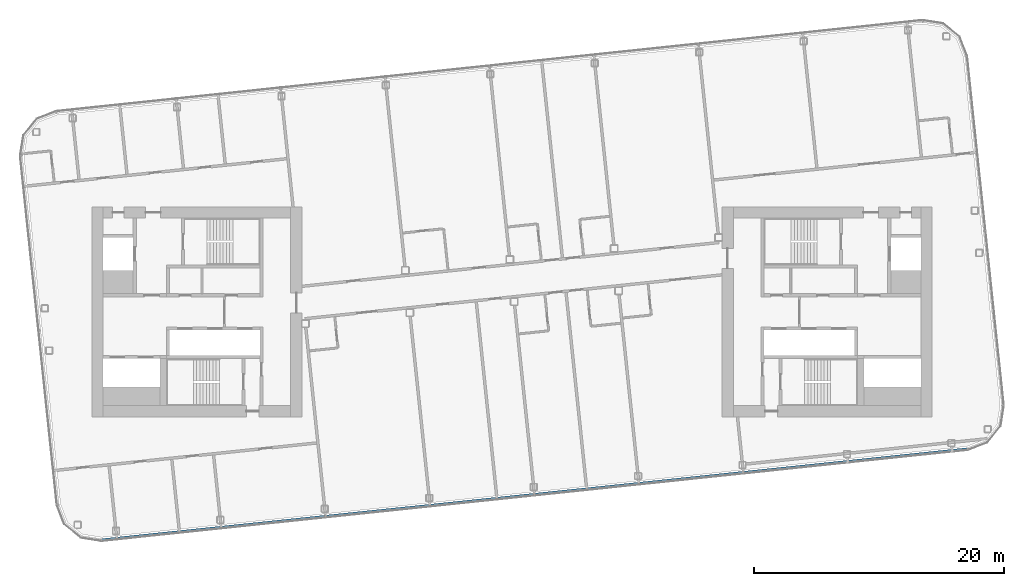
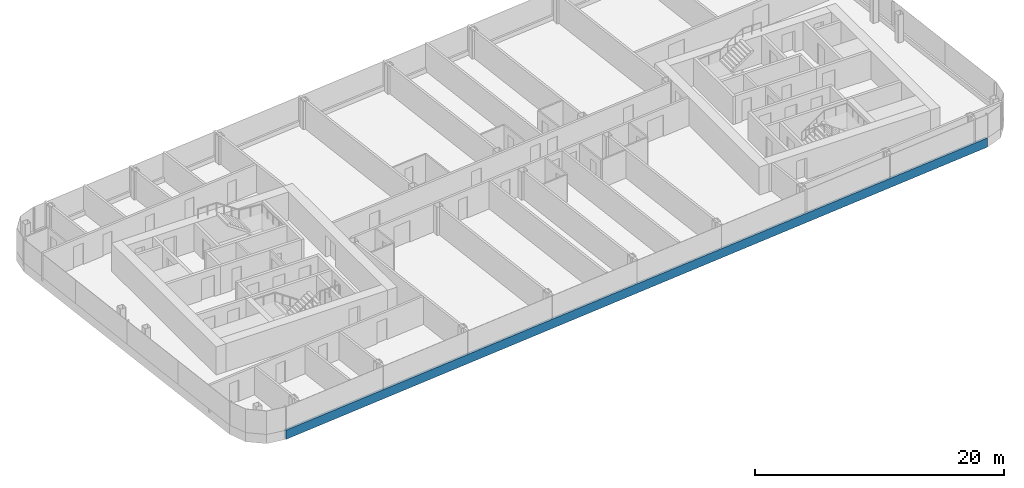
# One storey, part 6 of 27: 1 member, 1 element without a shape of its own.
"""IFC4 building model written with IfcOpenShell, lengths in metres."""

from ifc_helpers import new_model, si_unit, direction, frame, origin, origin_2d, place, context, subcontext, project, spatial, rectangle, extrude, material, layer, layer_set, material_profile, profile_set, type_object, element, aggregate, save


model = new_model("IFC4")

# Units and contexts
model_context = context("Model", 3, precision=1e-05, world=origin(), true_north=direction((0.0, 1.0)))
body_context = subcontext(model_context, "Body", "Model", "MODEL_VIEW")
ifc_project = project(units=[si_unit("LENGTHUNIT", "METRE"), si_unit("AREAUNIT", "SQUARE_METRE"), si_unit("VOLUMEUNIT", "CUBIC_METRE"), si_unit("PLANEANGLEUNIT", "RADIAN"), si_unit("MASSUNIT", "GRAM", prefix="KILO")], contexts=[model_context])

# Site, building, storey
site_placement = place(None, origin())
site = spatial("IfcSite", under=ifc_project, at=site_placement, CompositionType="ELEMENT")
building_placement = place(site_placement, origin())
building = spatial("IfcBuilding", under=site, at=building_placement, Name="Hakoniwa Tower and Hamabe Station Hall", CompositionType="ELEMENT")
storey_placement = place(building_placement, frame((0.0, 0.0, 248.60009765625)))
storey = spatial("IfcBuildingStorey", under=building, at=storey_placement, Name="L70", CompositionType="ELEMENT", Elevation=248.60009765625)

# Curtain wall, member
ifc_material_1 = material(Name="Dark low-e laminated glass", Category="glass")
ifc_layer = layer(ifc_material_1, 0.199951171875)
ifc_layer_set = layer_set([ifc_layer], Name="CW-1 UNITISED GUEST")
curtain_wall_type = type_object("IfcCurtainWallType", Name="CW-1 UNITISED GUEST", PredefinedType="NOTDEFINED", material=ifc_layer_set)
curtain_wall_placement = place(storey_placement, origin())
curtain_wall = element("IfcCurtainWall", 1, at=curtain_wall_placement, inside=storey, type_object=curtain_wall_type, Name="CW-1 curtain wall", PredefinedType="NOTDEFINED")
ifc_material_2 = material(Name="Aluminium 6063-T5 black anodised", Category="aluminium")
ifc_material_profile = material_profile(ifc_material_2, rectangle(XDim=0.199951171875, YDim=0.89990234375, at=origin_2d()), Name="CW SLAB-EDGE BAND 900X200")
ifc_profile_set = profile_set([ifc_material_profile], Name="Aluminium 6063-T5 black anodised")
member_type = type_object("IfcMemberType", Name="CW SLAB-EDGE BAND 900X200", PredefinedType="USERDEFINED", material=ifc_profile_set)
member_placement = place(storey_placement, frame((-32.850830078125, -18.24755859375, -0.10009765625), z_axis=(0.994521894037, 0.10452847593, 0.0), x_axis=(-0.10452847593, 0.994521894037, 0.0)))
member = element("IfcMember", 2, at=member_placement, type_object=member_type, Name="CW-1 transom", ObjectType="TRANSOM", PredefinedType="USERDEFINED", context=body_context, shape_type="SweptSolid", body=[
    extrude(rectangle(XDim=0.199951171875, YDim=0.89990234375, at=origin_2d()), origin(), (0.0, 0.0, 1.0), 69.678955078125),
])
aggregate(curtain_wall, [member])

save(model, "model.ifc")
